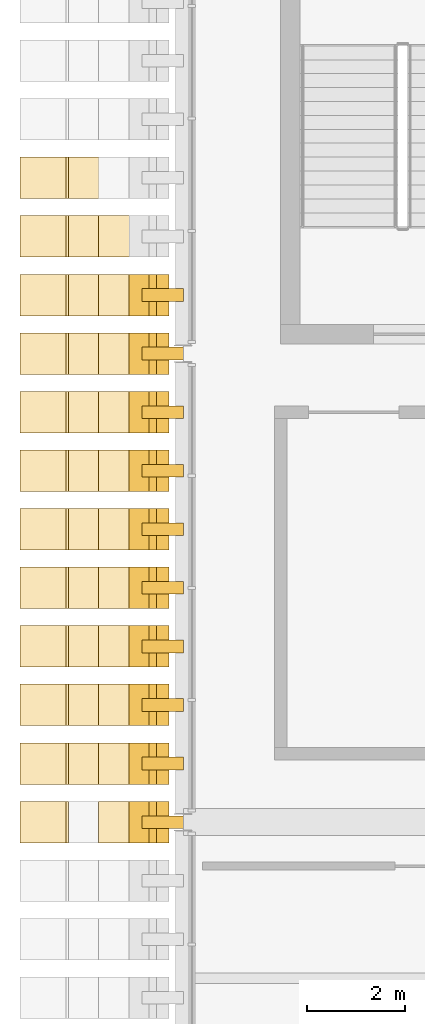
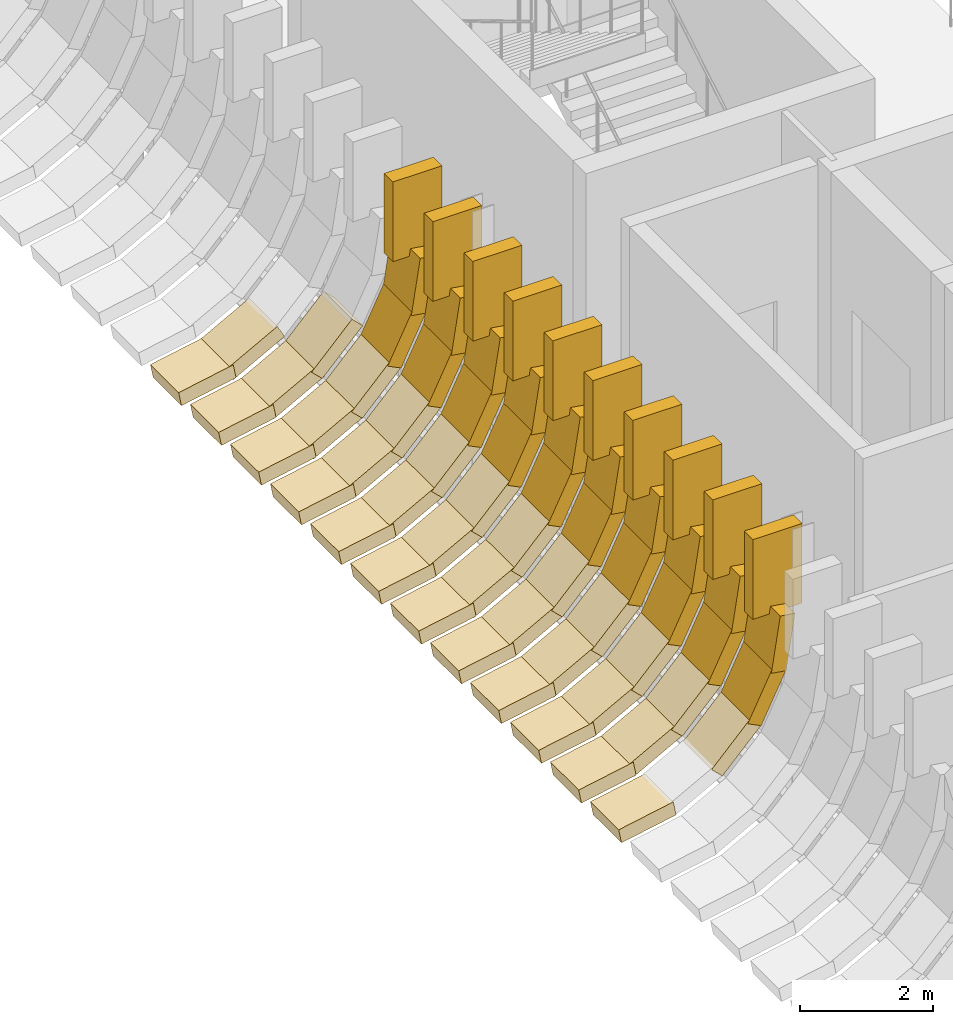
# One storey, part 68 of 100: 64 coverings.
"""IFC4 building model written with IfcOpenShell, lengths in metres."""

from ifc_helpers import new_model, si_unit, direction, frame, origin, origin_2d, place, context, subcontext, project, spatial, rectangle, extrude, material, material_profile, profile_set, type_object, element, save


model = new_model("IFC4")

# Units and contexts
model_context = context("Model", 3, precision=1e-05, world=origin(), true_north=direction((0.0, 1.0)))
body_context = subcontext(model_context, "Body", "Model", "MODEL_VIEW")
ifc_project = project(units=[si_unit("LENGTHUNIT", "METRE"), si_unit("AREAUNIT", "SQUARE_METRE"), si_unit("VOLUMEUNIT", "CUBIC_METRE"), si_unit("PLANEANGLEUNIT", "RADIAN"), si_unit("MASSUNIT", "GRAM", prefix="KILO")], contexts=[model_context])

# Site, building, storey
site_placement = place(None, origin())
site = spatial("IfcSite", under=ifc_project, at=site_placement, CompositionType="ELEMENT")
building_placement = place(site_placement, origin())
building = spatial("IfcBuilding", under=site, at=building_placement, Name="Caelomonte Colonnade Arena", CompositionType="ELEMENT")
storey_placement = place(building_placement, origin())
storey = spatial("IfcBuildingStorey", under=building, at=storey_placement, Name="L00", CompositionType="ELEMENT", Elevation=0.0)

# Coverings
ifc_material = material(Name="Precast travertine cladding", Category="masonry")
ifc_material_profile = material_profile(ifc_material, rectangle(XDim=0.260009765625, YDim=0.85009765625, at=origin_2d()), Name="FIN260X850")
ifc_profile_set = profile_set([ifc_material_profile], Name="Precast travertine cladding")
covering_type = type_object("IfcCoveringType", Name="ENV-FN-SKIRT", PredefinedType="CLADDING", material=ifc_profile_set)
covering_1_placement = place(storey_placement, frame((-1.567626953125, 61.199951171875, 1.061767578125), z_axis=(-0.879676382338, 0.0, -0.475572772935), x_axis=(-0.475572772935, 0.0, 0.879676382338)))
element("IfcCovering", 1, at=covering_1_placement, inside=storey, type_object=covering_type, Name="V5 L00 splayed classical fin skirt chord 4 (21)", PredefinedType="CLADDING", context=body_context, shape_type="SweptSolid", body=[
    extrude(rectangle(XDim=0.260009765625, YDim=0.85009765625, at=origin_2d()), origin(), (0.0, 0.0, 1.0), 1.0078125),
])
covering_2_placement = place(storey_placement, frame((-2.370361328125, 61.199951171875, 0.6123046875), z_axis=(-0.982296384632, 0.0, -0.187333426643), x_axis=(-0.187333426643, 0.0, 0.982296384632)))
element("IfcCovering", 2, at=covering_2_placement, inside=storey, type_object=covering_type, Name="V5 L00 splayed classical fin skirt chord 5 (21)", PredefinedType="CLADDING", context=body_context, shape_type="SweptSolid", body=[
    extrude(rectangle(XDim=0.260009765625, YDim=0.85009765625, at=origin_2d()), origin(), (0.0, 0.0, 1.0), 0.963134765625),
])
covering_3_placement = place(storey_placement, frame((-0.938232421875, 60.0, 1.733154296875), z_axis=(-0.694646381209, 0.0, -0.71935137803), x_axis=(-0.71935137803, 0.0, 0.694646381209)))
element("IfcCovering", 3, at=covering_3_placement, inside=storey, type_object=covering_type, Name="V5 L00 splayed classical fin skirt chord 3 (22)", PredefinedType="CLADDING", context=body_context, shape_type="SweptSolid", body=[
    extrude(rectangle(XDim=0.260009765625, YDim=0.85009765625, at=origin_2d()), origin(), (0.0, 0.0, 1.0), 1.008056640625),
])
covering_4_placement = place(storey_placement, frame((-1.567626953125, 60.0, 1.061767578125), z_axis=(-0.879676382338, 0.0, -0.475572772935), x_axis=(-0.475572772935, 0.0, 0.879676382338)))
element("IfcCovering", 4, at=covering_4_placement, inside=storey, type_object=covering_type, Name="V5 L00 splayed classical fin skirt chord 4 (22)", PredefinedType="CLADDING", context=body_context, shape_type="SweptSolid", body=[
    extrude(rectangle(XDim=0.260009765625, YDim=0.85009765625, at=origin_2d()), origin(), (0.0, 0.0, 1.0), 1.0078125),
])
covering_5_placement = place(storey_placement, frame((-2.370361328125, 60.0, 0.6123046875), z_axis=(-0.982296384632, 0.0, -0.187333426643), x_axis=(-0.187333426643, 0.0, 0.982296384632)))
element("IfcCovering", 5, at=covering_5_placement, inside=storey, type_object=covering_type, Name="V5 L00 splayed classical fin skirt chord 5 (22)", PredefinedType="CLADDING", context=body_context, shape_type="SweptSolid", body=[
    extrude(rectangle(XDim=0.260009765625, YDim=0.85009765625, at=origin_2d()), origin(), (0.0, 0.0, 1.0), 0.963134765625),
])
covering_6_placement = place(storey_placement, frame((-0.4208984375, 58.800048828125, 3.360107421875), z_axis=(0.0, 0.0, 1.0), x_axis=(0.0, 1.0, 0.0)))
element("IfcCovering", 6, at=covering_6_placement, inside=storey, type_object=covering_type, Name="V5 L00 upper classical fin stem 23", PredefinedType="CLADDING", context=body_context, shape_type="SweptSolid", body=[
    extrude(rectangle(XDim=0.260009765625, YDim=0.85009765625, at=origin_2d()), origin(), (0.0, 0.0, 1.0), 1.4599609375),
])
covering_7_placement = place(storey_placement, frame((-0.4140625, 58.800048828125, 3.474609375), z_axis=(-0.153076342973, 0.0, -0.988214366027), x_axis=(-0.988214366027, 0.0, 0.153076342973)))
element("IfcCovering", 7, at=covering_7_placement, inside=storey, type_object=covering_type, Name="V5 L00 splayed classical fin skirt chord 1 (23)", PredefinedType="CLADDING", context=body_context, shape_type="SweptSolid", body=[
    extrude(rectangle(XDim=0.260009765625, YDim=0.85009765625, at=origin_2d()), origin(), (0.0, 0.0, 1.0), 1.008056640625),
])
covering_8_placement = place(storey_placement, frame((-0.54150390625, 58.800048828125, 2.563232421875), z_axis=(-0.44449852268, 0.0, -0.895779584125), x_axis=(-0.895779584125, 0.0, 0.44449852268)))
element("IfcCovering", 8, at=covering_8_placement, inside=storey, type_object=covering_type, Name="V5 L00 splayed classical fin skirt chord 2 (23)", PredefinedType="CLADDING", context=body_context, shape_type="SweptSolid", body=[
    extrude(rectangle(XDim=0.260009765625, YDim=0.85009765625, at=origin_2d()), origin(), (0.0, 0.0, 1.0), 1.0078125),
])
covering_9_placement = place(storey_placement, frame((-0.938232421875, 58.800048828125, 1.733154296875), z_axis=(-0.694646381209, 0.0, -0.71935137803), x_axis=(-0.71935137803, 0.0, 0.694646381209)))
element("IfcCovering", 9, at=covering_9_placement, inside=storey, type_object=covering_type, Name="V5 L00 splayed classical fin skirt chord 3 (23)", PredefinedType="CLADDING", context=body_context, shape_type="SweptSolid", body=[
    extrude(rectangle(XDim=0.260009765625, YDim=0.85009765625, at=origin_2d()), origin(), (0.0, 0.0, 1.0), 1.008056640625),
])
covering_10_placement = place(storey_placement, frame((-1.567626953125, 58.800048828125, 1.061767578125), z_axis=(-0.879676382338, 0.0, -0.475572772935), x_axis=(-0.475572772935, 0.0, 0.879676382338)))
element("IfcCovering", 10, at=covering_10_placement, inside=storey, type_object=covering_type, Name="V5 L00 splayed classical fin skirt chord 4 (23)", PredefinedType="CLADDING", context=body_context, shape_type="SweptSolid", body=[
    extrude(rectangle(XDim=0.260009765625, YDim=0.85009765625, at=origin_2d()), origin(), (0.0, 0.0, 1.0), 1.0078125),
])
covering_11_placement = place(storey_placement, frame((-2.370361328125, 58.800048828125, 0.6123046875), z_axis=(-0.982296384632, 0.0, -0.187333426643), x_axis=(-0.187333426643, 0.0, 0.982296384632)))
element("IfcCovering", 11, at=covering_11_placement, inside=storey, type_object=covering_type, Name="V5 L00 splayed classical fin skirt chord 5 (23)", PredefinedType="CLADDING", context=body_context, shape_type="SweptSolid", body=[
    extrude(rectangle(XDim=0.260009765625, YDim=0.85009765625, at=origin_2d()), origin(), (0.0, 0.0, 1.0), 0.963134765625),
])
covering_12_placement = place(storey_placement, frame((-0.4208984375, 57.60009765625, 3.360107421875), z_axis=(0.0, 0.0, 1.0), x_axis=(0.0, 1.0, 0.0)))
element("IfcCovering", 12, at=covering_12_placement, inside=storey, type_object=covering_type, Name="V5 L00 upper classical fin stem 24", PredefinedType="CLADDING", context=body_context, shape_type="SweptSolid", body=[
    extrude(rectangle(XDim=0.260009765625, YDim=0.85009765625, at=origin_2d()), origin(), (0.0, 0.0, 1.0), 1.4599609375),
])
covering_13_placement = place(storey_placement, frame((-0.4140625, 57.60009765625, 3.474609375), z_axis=(-0.153076342973, 0.0, -0.988214366027), x_axis=(-0.988214366027, 0.0, 0.153076342973)))
element("IfcCovering", 13, at=covering_13_placement, inside=storey, type_object=covering_type, Name="V5 L00 splayed classical fin skirt chord 1 (24)", PredefinedType="CLADDING", context=body_context, shape_type="SweptSolid", body=[
    extrude(rectangle(XDim=0.260009765625, YDim=0.85009765625, at=origin_2d()), origin(), (0.0, 0.0, 1.0), 1.008056640625),
])
covering_14_placement = place(storey_placement, frame((-0.54150390625, 57.60009765625, 2.563232421875), z_axis=(-0.44449852268, 0.0, -0.895779584125), x_axis=(-0.895779584125, 0.0, 0.44449852268)))
element("IfcCovering", 14, at=covering_14_placement, inside=storey, type_object=covering_type, Name="V5 L00 splayed classical fin skirt chord 2 (24)", PredefinedType="CLADDING", context=body_context, shape_type="SweptSolid", body=[
    extrude(rectangle(XDim=0.260009765625, YDim=0.85009765625, at=origin_2d()), origin(), (0.0, 0.0, 1.0), 1.0078125),
])
covering_15_placement = place(storey_placement, frame((-0.938232421875, 57.60009765625, 1.733154296875), z_axis=(-0.694646381209, 0.0, -0.71935137803), x_axis=(-0.71935137803, 0.0, 0.694646381209)))
element("IfcCovering", 15, at=covering_15_placement, inside=storey, type_object=covering_type, Name="V5 L00 splayed classical fin skirt chord 3 (24)", PredefinedType="CLADDING", context=body_context, shape_type="SweptSolid", body=[
    extrude(rectangle(XDim=0.260009765625, YDim=0.85009765625, at=origin_2d()), origin(), (0.0, 0.0, 1.0), 1.008056640625),
])
covering_16_placement = place(storey_placement, frame((-1.567626953125, 57.60009765625, 1.061767578125), z_axis=(-0.879676382338, 0.0, -0.475572772935), x_axis=(-0.475572772935, 0.0, 0.879676382338)))
element("IfcCovering", 16, at=covering_16_placement, inside=storey, type_object=covering_type, Name="V5 L00 splayed classical fin skirt chord 4 (24)", PredefinedType="CLADDING", context=body_context, shape_type="SweptSolid", body=[
    extrude(rectangle(XDim=0.260009765625, YDim=0.85009765625, at=origin_2d()), origin(), (0.0, 0.0, 1.0), 1.0078125),
])
covering_17_placement = place(storey_placement, frame((-2.370361328125, 57.60009765625, 0.6123046875), z_axis=(-0.982296384632, 0.0, -0.187333426643), x_axis=(-0.187333426643, 0.0, 0.982296384632)))
element("IfcCovering", 17, at=covering_17_placement, inside=storey, type_object=covering_type, Name="V5 L00 splayed classical fin skirt chord 5 (24)", PredefinedType="CLADDING", context=body_context, shape_type="SweptSolid", body=[
    extrude(rectangle(XDim=0.260009765625, YDim=0.85009765625, at=origin_2d()), origin(), (0.0, 0.0, 1.0), 0.963134765625),
])
covering_18_placement = place(storey_placement, frame((-0.4208984375, 56.39990234375, 3.360107421875), z_axis=(0.0, 0.0, 1.0), x_axis=(0.0, 1.0, 0.0)))
element("IfcCovering", 18, at=covering_18_placement, inside=storey, type_object=covering_type, Name="V5 L00 upper classical fin stem 25", PredefinedType="CLADDING", context=body_context, shape_type="SweptSolid", body=[
    extrude(rectangle(XDim=0.260009765625, YDim=0.85009765625, at=origin_2d()), origin(), (0.0, 0.0, 1.0), 1.4599609375),
])
covering_19_placement = place(storey_placement, frame((-0.4140625, 56.39990234375, 3.474609375), z_axis=(-0.153076342973, 0.0, -0.988214366027), x_axis=(-0.988214366027, 0.0, 0.153076342973)))
element("IfcCovering", 19, at=covering_19_placement, inside=storey, type_object=covering_type, Name="V5 L00 splayed classical fin skirt chord 1 (25)", PredefinedType="CLADDING", context=body_context, shape_type="SweptSolid", body=[
    extrude(rectangle(XDim=0.260009765625, YDim=0.85009765625, at=origin_2d()), origin(), (0.0, 0.0, 1.0), 1.008056640625),
])
covering_20_placement = place(storey_placement, frame((-0.54150390625, 56.39990234375, 2.563232421875), z_axis=(-0.44449852268, 0.0, -0.895779584125), x_axis=(-0.895779584125, 0.0, 0.44449852268)))
element("IfcCovering", 20, at=covering_20_placement, inside=storey, type_object=covering_type, Name="V5 L00 splayed classical fin skirt chord 2 (25)", PredefinedType="CLADDING", context=body_context, shape_type="SweptSolid", body=[
    extrude(rectangle(XDim=0.260009765625, YDim=0.85009765625, at=origin_2d()), origin(), (0.0, 0.0, 1.0), 1.0078125),
])
covering_21_placement = place(storey_placement, frame((-0.938232421875, 56.39990234375, 1.733154296875), z_axis=(-0.694646381209, 0.0, -0.71935137803), x_axis=(-0.71935137803, 0.0, 0.694646381209)))
element("IfcCovering", 21, at=covering_21_placement, inside=storey, type_object=covering_type, Name="V5 L00 splayed classical fin skirt chord 3 (25)", PredefinedType="CLADDING", context=body_context, shape_type="SweptSolid", body=[
    extrude(rectangle(XDim=0.260009765625, YDim=0.85009765625, at=origin_2d()), origin(), (0.0, 0.0, 1.0), 1.008056640625),
])
covering_22_placement = place(storey_placement, frame((-1.567626953125, 56.39990234375, 1.061767578125), z_axis=(-0.879676382338, 0.0, -0.475572772935), x_axis=(-0.475572772935, 0.0, 0.879676382338)))
element("IfcCovering", 22, at=covering_22_placement, inside=storey, type_object=covering_type, Name="V5 L00 splayed classical fin skirt chord 4 (25)", PredefinedType="CLADDING", context=body_context, shape_type="SweptSolid", body=[
    extrude(rectangle(XDim=0.260009765625, YDim=0.85009765625, at=origin_2d()), origin(), (0.0, 0.0, 1.0), 1.0078125),
])
covering_23_placement = place(storey_placement, frame((-2.370361328125, 56.39990234375, 0.6123046875), z_axis=(-0.982296384632, 0.0, -0.187333426643), x_axis=(-0.187333426643, 0.0, 0.982296384632)))
element("IfcCovering", 23, at=covering_23_placement, inside=storey, type_object=covering_type, Name="V5 L00 splayed classical fin skirt chord 5 (25)", PredefinedType="CLADDING", context=body_context, shape_type="SweptSolid", body=[
    extrude(rectangle(XDim=0.260009765625, YDim=0.85009765625, at=origin_2d()), origin(), (0.0, 0.0, 1.0), 0.963134765625),
])
covering_24_placement = place(storey_placement, frame((-0.4208984375, 55.199951171875, 3.360107421875), z_axis=(0.0, 0.0, 1.0), x_axis=(0.0, 1.0, 0.0)))
element("IfcCovering", 24, at=covering_24_placement, inside=storey, type_object=covering_type, Name="V5 L00 upper classical fin stem 26", PredefinedType="CLADDING", context=body_context, shape_type="SweptSolid", body=[
    extrude(rectangle(XDim=0.260009765625, YDim=0.85009765625, at=origin_2d()), origin(), (0.0, 0.0, 1.0), 1.4599609375),
])
covering_25_placement = place(storey_placement, frame((-0.4140625, 55.199951171875, 3.474609375), z_axis=(-0.153076342973, 0.0, -0.988214366027), x_axis=(-0.988214366027, 0.0, 0.153076342973)))
element("IfcCovering", 25, at=covering_25_placement, inside=storey, type_object=covering_type, Name="V5 L00 splayed classical fin skirt chord 1 (26)", PredefinedType="CLADDING", context=body_context, shape_type="SweptSolid", body=[
    extrude(rectangle(XDim=0.260009765625, YDim=0.85009765625, at=origin_2d()), origin(), (0.0, 0.0, 1.0), 1.008056640625),
])
covering_26_placement = place(storey_placement, frame((-0.54150390625, 55.199951171875, 2.563232421875), z_axis=(-0.44449852268, 0.0, -0.895779584125), x_axis=(-0.895779584125, 0.0, 0.44449852268)))
element("IfcCovering", 26, at=covering_26_placement, inside=storey, type_object=covering_type, Name="V5 L00 splayed classical fin skirt chord 2 (26)", PredefinedType="CLADDING", context=body_context, shape_type="SweptSolid", body=[
    extrude(rectangle(XDim=0.260009765625, YDim=0.85009765625, at=origin_2d()), origin(), (0.0, 0.0, 1.0), 1.0078125),
])
covering_27_placement = place(storey_placement, frame((-0.938232421875, 55.199951171875, 1.733154296875), z_axis=(-0.694646381209, 0.0, -0.71935137803), x_axis=(-0.71935137803, 0.0, 0.694646381209)))
element("IfcCovering", 27, at=covering_27_placement, inside=storey, type_object=covering_type, Name="V5 L00 splayed classical fin skirt chord 3 (26)", PredefinedType="CLADDING", context=body_context, shape_type="SweptSolid", body=[
    extrude(rectangle(XDim=0.260009765625, YDim=0.85009765625, at=origin_2d()), origin(), (0.0, 0.0, 1.0), 1.008056640625),
])
covering_28_placement = place(storey_placement, frame((-1.567626953125, 55.199951171875, 1.061767578125), z_axis=(-0.879676382338, 0.0, -0.475572772935), x_axis=(-0.475572772935, 0.0, 0.879676382338)))
element("IfcCovering", 28, at=covering_28_placement, inside=storey, type_object=covering_type, Name="V5 L00 splayed classical fin skirt chord 4 (26)", PredefinedType="CLADDING", context=body_context, shape_type="SweptSolid", body=[
    extrude(rectangle(XDim=0.260009765625, YDim=0.85009765625, at=origin_2d()), origin(), (0.0, 0.0, 1.0), 1.0078125),
])
covering_29_placement = place(storey_placement, frame((-2.370361328125, 55.199951171875, 0.6123046875), z_axis=(-0.982296384632, 0.0, -0.187333426643), x_axis=(-0.187333426643, 0.0, 0.982296384632)))
element("IfcCovering", 29, at=covering_29_placement, inside=storey, type_object=covering_type, Name="V5 L00 splayed classical fin skirt chord 5 (26)", PredefinedType="CLADDING", context=body_context, shape_type="SweptSolid", body=[
    extrude(rectangle(XDim=0.260009765625, YDim=0.85009765625, at=origin_2d()), origin(), (0.0, 0.0, 1.0), 0.963134765625),
])
covering_30_placement = place(storey_placement, frame((-0.4208984375, 54.0, 3.360107421875), z_axis=(0.0, 0.0, 1.0), x_axis=(0.0, 1.0, 0.0)))
element("IfcCovering", 30, at=covering_30_placement, inside=storey, type_object=covering_type, Name="V5 L00 upper classical fin stem 27", PredefinedType="CLADDING", context=body_context, shape_type="SweptSolid", body=[
    extrude(rectangle(XDim=0.260009765625, YDim=0.85009765625, at=origin_2d()), origin(), (0.0, 0.0, 1.0), 1.4599609375),
])
covering_31_placement = place(storey_placement, frame((-0.4140625, 54.0, 3.474609375), z_axis=(-0.153076342973, 0.0, -0.988214366027), x_axis=(-0.988214366027, 0.0, 0.153076342973)))
element("IfcCovering", 31, at=covering_31_placement, inside=storey, type_object=covering_type, Name="V5 L00 splayed classical fin skirt chord 1 (27)", PredefinedType="CLADDING", context=body_context, shape_type="SweptSolid", body=[
    extrude(rectangle(XDim=0.260009765625, YDim=0.85009765625, at=origin_2d()), origin(), (0.0, 0.0, 1.0), 1.008056640625),
])
covering_32_placement = place(storey_placement, frame((-0.54150390625, 54.0, 2.563232421875), z_axis=(-0.44449852268, 0.0, -0.895779584125), x_axis=(-0.895779584125, 0.0, 0.44449852268)))
element("IfcCovering", 32, at=covering_32_placement, inside=storey, type_object=covering_type, Name="V5 L00 splayed classical fin skirt chord 2 (27)", PredefinedType="CLADDING", context=body_context, shape_type="SweptSolid", body=[
    extrude(rectangle(XDim=0.260009765625, YDim=0.85009765625, at=origin_2d()), origin(), (0.0, 0.0, 1.0), 1.0078125),
])
covering_33_placement = place(storey_placement, frame((-0.938232421875, 54.0, 1.733154296875), z_axis=(-0.694646381209, 0.0, -0.71935137803), x_axis=(-0.71935137803, 0.0, 0.694646381209)))
element("IfcCovering", 33, at=covering_33_placement, inside=storey, type_object=covering_type, Name="V5 L00 splayed classical fin skirt chord 3 (27)", PredefinedType="CLADDING", context=body_context, shape_type="SweptSolid", body=[
    extrude(rectangle(XDim=0.260009765625, YDim=0.85009765625, at=origin_2d()), origin(), (0.0, 0.0, 1.0), 1.008056640625),
])
covering_34_placement = place(storey_placement, frame((-1.567626953125, 54.0, 1.061767578125), z_axis=(-0.879676382338, 0.0, -0.475572772935), x_axis=(-0.475572772935, 0.0, 0.879676382338)))
element("IfcCovering", 34, at=covering_34_placement, inside=storey, type_object=covering_type, Name="V5 L00 splayed classical fin skirt chord 4 (27)", PredefinedType="CLADDING", context=body_context, shape_type="SweptSolid", body=[
    extrude(rectangle(XDim=0.260009765625, YDim=0.85009765625, at=origin_2d()), origin(), (0.0, 0.0, 1.0), 1.0078125),
])
covering_35_placement = place(storey_placement, frame((-2.370361328125, 54.0, 0.6123046875), z_axis=(-0.982296384632, 0.0, -0.187333426643), x_axis=(-0.187333426643, 0.0, 0.982296384632)))
element("IfcCovering", 35, at=covering_35_placement, inside=storey, type_object=covering_type, Name="V5 L00 splayed classical fin skirt chord 5 (27)", PredefinedType="CLADDING", context=body_context, shape_type="SweptSolid", body=[
    extrude(rectangle(XDim=0.260009765625, YDim=0.85009765625, at=origin_2d()), origin(), (0.0, 0.0, 1.0), 0.963134765625),
])
covering_36_placement = place(storey_placement, frame((-0.4208984375, 52.800048828125, 3.360107421875), z_axis=(0.0, 0.0, 1.0), x_axis=(0.0, 1.0, 0.0)))
element("IfcCovering", 36, at=covering_36_placement, inside=storey, type_object=covering_type, Name="V5 L00 upper classical fin stem 28", PredefinedType="CLADDING", context=body_context, shape_type="SweptSolid", body=[
    extrude(rectangle(XDim=0.260009765625, YDim=0.85009765625, at=origin_2d()), origin(), (0.0, 0.0, 1.0), 1.4599609375),
])
covering_37_placement = place(storey_placement, frame((-0.4140625, 52.800048828125, 3.474609375), z_axis=(-0.153076342973, 0.0, -0.988214366027), x_axis=(-0.988214366027, 0.0, 0.153076342973)))
element("IfcCovering", 37, at=covering_37_placement, inside=storey, type_object=covering_type, Name="V5 L00 splayed classical fin skirt chord 1 (28)", PredefinedType="CLADDING", context=body_context, shape_type="SweptSolid", body=[
    extrude(rectangle(XDim=0.260009765625, YDim=0.85009765625, at=origin_2d()), origin(), (0.0, 0.0, 1.0), 1.008056640625),
])
covering_38_placement = place(storey_placement, frame((-0.54150390625, 52.800048828125, 2.563232421875), z_axis=(-0.44449852268, 0.0, -0.895779584125), x_axis=(-0.895779584125, 0.0, 0.44449852268)))
element("IfcCovering", 38, at=covering_38_placement, inside=storey, type_object=covering_type, Name="V5 L00 splayed classical fin skirt chord 2 (28)", PredefinedType="CLADDING", context=body_context, shape_type="SweptSolid", body=[
    extrude(rectangle(XDim=0.260009765625, YDim=0.85009765625, at=origin_2d()), origin(), (0.0, 0.0, 1.0), 1.0078125),
])
covering_39_placement = place(storey_placement, frame((-0.938232421875, 52.800048828125, 1.733154296875), z_axis=(-0.694646381209, 0.0, -0.71935137803), x_axis=(-0.71935137803, 0.0, 0.694646381209)))
element("IfcCovering", 39, at=covering_39_placement, inside=storey, type_object=covering_type, Name="V5 L00 splayed classical fin skirt chord 3 (28)", PredefinedType="CLADDING", context=body_context, shape_type="SweptSolid", body=[
    extrude(rectangle(XDim=0.260009765625, YDim=0.85009765625, at=origin_2d()), origin(), (0.0, 0.0, 1.0), 1.008056640625),
])
covering_40_placement = place(storey_placement, frame((-1.567626953125, 52.800048828125, 1.061767578125), z_axis=(-0.879676382338, 0.0, -0.475572772935), x_axis=(-0.475572772935, 0.0, 0.879676382338)))
element("IfcCovering", 40, at=covering_40_placement, inside=storey, type_object=covering_type, Name="V5 L00 splayed classical fin skirt chord 4 (28)", PredefinedType="CLADDING", context=body_context, shape_type="SweptSolid", body=[
    extrude(rectangle(XDim=0.260009765625, YDim=0.85009765625, at=origin_2d()), origin(), (0.0, 0.0, 1.0), 1.0078125),
])
covering_41_placement = place(storey_placement, frame((-2.370361328125, 52.800048828125, 0.6123046875), z_axis=(-0.982296384632, 0.0, -0.187333426643), x_axis=(-0.187333426643, 0.0, 0.982296384632)))
element("IfcCovering", 41, at=covering_41_placement, inside=storey, type_object=covering_type, Name="V5 L00 splayed classical fin skirt chord 5 (28)", PredefinedType="CLADDING", context=body_context, shape_type="SweptSolid", body=[
    extrude(rectangle(XDim=0.260009765625, YDim=0.85009765625, at=origin_2d()), origin(), (0.0, 0.0, 1.0), 0.963134765625),
])
covering_42_placement = place(storey_placement, frame((-0.4208984375, 51.60009765625, 3.360107421875), z_axis=(0.0, 0.0, 1.0), x_axis=(0.0, 1.0, 0.0)))
element("IfcCovering", 42, at=covering_42_placement, inside=storey, type_object=covering_type, Name="V5 L00 upper classical fin stem 29", PredefinedType="CLADDING", context=body_context, shape_type="SweptSolid", body=[
    extrude(rectangle(XDim=0.260009765625, YDim=0.85009765625, at=origin_2d()), origin(), (0.0, 0.0, 1.0), 1.4599609375),
])
covering_43_placement = place(storey_placement, frame((-0.4140625, 51.60009765625, 3.474609375), z_axis=(-0.153076342973, 0.0, -0.988214366027), x_axis=(-0.988214366027, 0.0, 0.153076342973)))
element("IfcCovering", 43, at=covering_43_placement, inside=storey, type_object=covering_type, Name="V5 L00 splayed classical fin skirt chord 1 (29)", PredefinedType="CLADDING", context=body_context, shape_type="SweptSolid", body=[
    extrude(rectangle(XDim=0.260009765625, YDim=0.85009765625, at=origin_2d()), origin(), (0.0, 0.0, 1.0), 1.008056640625),
])
covering_44_placement = place(storey_placement, frame((-0.54150390625, 51.60009765625, 2.563232421875), z_axis=(-0.44449852268, 0.0, -0.895779584125), x_axis=(-0.895779584125, 0.0, 0.44449852268)))
element("IfcCovering", 44, at=covering_44_placement, inside=storey, type_object=covering_type, Name="V5 L00 splayed classical fin skirt chord 2 (29)", PredefinedType="CLADDING", context=body_context, shape_type="SweptSolid", body=[
    extrude(rectangle(XDim=0.260009765625, YDim=0.85009765625, at=origin_2d()), origin(), (0.0, 0.0, 1.0), 1.0078125),
])
covering_45_placement = place(storey_placement, frame((-0.938232421875, 51.60009765625, 1.733154296875), z_axis=(-0.694646381209, 0.0, -0.71935137803), x_axis=(-0.71935137803, 0.0, 0.694646381209)))
element("IfcCovering", 45, at=covering_45_placement, inside=storey, type_object=covering_type, Name="V5 L00 splayed classical fin skirt chord 3 (29)", PredefinedType="CLADDING", context=body_context, shape_type="SweptSolid", body=[
    extrude(rectangle(XDim=0.260009765625, YDim=0.85009765625, at=origin_2d()), origin(), (0.0, 0.0, 1.0), 1.008056640625),
])
covering_46_placement = place(storey_placement, frame((-1.567626953125, 51.60009765625, 1.061767578125), z_axis=(-0.879676382338, 0.0, -0.475572772935), x_axis=(-0.475572772935, 0.0, 0.879676382338)))
element("IfcCovering", 46, at=covering_46_placement, inside=storey, type_object=covering_type, Name="V5 L00 splayed classical fin skirt chord 4 (29)", PredefinedType="CLADDING", context=body_context, shape_type="SweptSolid", body=[
    extrude(rectangle(XDim=0.260009765625, YDim=0.85009765625, at=origin_2d()), origin(), (0.0, 0.0, 1.0), 1.0078125),
])
covering_47_placement = place(storey_placement, frame((-2.370361328125, 51.60009765625, 0.6123046875), z_axis=(-0.982296384632, 0.0, -0.187333426643), x_axis=(-0.187333426643, 0.0, 0.982296384632)))
element("IfcCovering", 47, at=covering_47_placement, inside=storey, type_object=covering_type, Name="V5 L00 splayed classical fin skirt chord 5 (29)", PredefinedType="CLADDING", context=body_context, shape_type="SweptSolid", body=[
    extrude(rectangle(XDim=0.260009765625, YDim=0.85009765625, at=origin_2d()), origin(), (0.0, 0.0, 1.0), 0.963134765625),
])
covering_48_placement = place(storey_placement, frame((-0.4208984375, 50.39990234375, 3.360107421875), z_axis=(0.0, 0.0, 1.0), x_axis=(0.0, 1.0, 0.0)))
element("IfcCovering", 48, at=covering_48_placement, inside=storey, type_object=covering_type, Name="V5 L00 upper classical fin stem 30", PredefinedType="CLADDING", context=body_context, shape_type="SweptSolid", body=[
    extrude(rectangle(XDim=0.260009765625, YDim=0.85009765625, at=origin_2d()), origin(), (0.0, 0.0, 1.0), 1.4599609375),
])
covering_49_placement = place(storey_placement, frame((-0.4140625, 50.39990234375, 3.474609375), z_axis=(-0.153076342973, 0.0, -0.988214366027), x_axis=(-0.988214366027, 0.0, 0.153076342973)))
element("IfcCovering", 49, at=covering_49_placement, inside=storey, type_object=covering_type, Name="V5 L00 splayed classical fin skirt chord 1 (30)", PredefinedType="CLADDING", context=body_context, shape_type="SweptSolid", body=[
    extrude(rectangle(XDim=0.260009765625, YDim=0.85009765625, at=origin_2d()), origin(), (0.0, 0.0, 1.0), 1.008056640625),
])
covering_50_placement = place(storey_placement, frame((-0.54150390625, 50.39990234375, 2.563232421875), z_axis=(-0.44449852268, 0.0, -0.895779584125), x_axis=(-0.895779584125, 0.0, 0.44449852268)))
element("IfcCovering", 50, at=covering_50_placement, inside=storey, type_object=covering_type, Name="V5 L00 splayed classical fin skirt chord 2 (30)", PredefinedType="CLADDING", context=body_context, shape_type="SweptSolid", body=[
    extrude(rectangle(XDim=0.260009765625, YDim=0.85009765625, at=origin_2d()), origin(), (0.0, 0.0, 1.0), 1.0078125),
])
covering_51_placement = place(storey_placement, frame((-0.938232421875, 50.39990234375, 1.733154296875), z_axis=(-0.694646381209, 0.0, -0.71935137803), x_axis=(-0.71935137803, 0.0, 0.694646381209)))
element("IfcCovering", 51, at=covering_51_placement, inside=storey, type_object=covering_type, Name="V5 L00 splayed classical fin skirt chord 3 (30)", PredefinedType="CLADDING", context=body_context, shape_type="SweptSolid", body=[
    extrude(rectangle(XDim=0.260009765625, YDim=0.85009765625, at=origin_2d()), origin(), (0.0, 0.0, 1.0), 1.008056640625),
])
covering_52_placement = place(storey_placement, frame((-1.567626953125, 50.39990234375, 1.061767578125), z_axis=(-0.879676382338, 0.0, -0.475572772935), x_axis=(-0.475572772935, 0.0, 0.879676382338)))
element("IfcCovering", 52, at=covering_52_placement, inside=storey, type_object=covering_type, Name="V5 L00 splayed classical fin skirt chord 4 (30)", PredefinedType="CLADDING", context=body_context, shape_type="SweptSolid", body=[
    extrude(rectangle(XDim=0.260009765625, YDim=0.85009765625, at=origin_2d()), origin(), (0.0, 0.0, 1.0), 1.0078125),
])
covering_53_placement = place(storey_placement, frame((-2.370361328125, 50.39990234375, 0.6123046875), z_axis=(-0.982296384632, 0.0, -0.187333426643), x_axis=(-0.187333426643, 0.0, 0.982296384632)))
element("IfcCovering", 53, at=covering_53_placement, inside=storey, type_object=covering_type, Name="V5 L00 splayed classical fin skirt chord 5 (30)", PredefinedType="CLADDING", context=body_context, shape_type="SweptSolid", body=[
    extrude(rectangle(XDim=0.260009765625, YDim=0.85009765625, at=origin_2d()), origin(), (0.0, 0.0, 1.0), 0.963134765625),
])
covering_54_placement = place(storey_placement, frame((-0.4208984375, 49.199951171875, 3.360107421875), z_axis=(0.0, 0.0, 1.0), x_axis=(0.0, 1.0, 0.0)))
element("IfcCovering", 54, at=covering_54_placement, inside=storey, type_object=covering_type, Name="V5 L00 upper classical fin stem 31", PredefinedType="CLADDING", context=body_context, shape_type="SweptSolid", body=[
    extrude(rectangle(XDim=0.260009765625, YDim=0.85009765625, at=origin_2d()), origin(), (0.0, 0.0, 1.0), 1.4599609375),
])
covering_55_placement = place(storey_placement, frame((-0.4140625, 49.199951171875, 3.474609375), z_axis=(-0.153076342973, 0.0, -0.988214366027), x_axis=(-0.988214366027, 0.0, 0.153076342973)))
element("IfcCovering", 55, at=covering_55_placement, inside=storey, type_object=covering_type, Name="V5 L00 splayed classical fin skirt chord 1 (31)", PredefinedType="CLADDING", context=body_context, shape_type="SweptSolid", body=[
    extrude(rectangle(XDim=0.260009765625, YDim=0.85009765625, at=origin_2d()), origin(), (0.0, 0.0, 1.0), 1.008056640625),
])
covering_56_placement = place(storey_placement, frame((-0.54150390625, 49.199951171875, 2.563232421875), z_axis=(-0.44449852268, 0.0, -0.895779584125), x_axis=(-0.895779584125, 0.0, 0.44449852268)))
element("IfcCovering", 56, at=covering_56_placement, inside=storey, type_object=covering_type, Name="V5 L00 splayed classical fin skirt chord 2 (31)", PredefinedType="CLADDING", context=body_context, shape_type="SweptSolid", body=[
    extrude(rectangle(XDim=0.260009765625, YDim=0.85009765625, at=origin_2d()), origin(), (0.0, 0.0, 1.0), 1.0078125),
])
covering_57_placement = place(storey_placement, frame((-0.938232421875, 49.199951171875, 1.733154296875), z_axis=(-0.694646381209, 0.0, -0.71935137803), x_axis=(-0.71935137803, 0.0, 0.694646381209)))
element("IfcCovering", 57, at=covering_57_placement, inside=storey, type_object=covering_type, Name="V5 L00 splayed classical fin skirt chord 3 (31)", PredefinedType="CLADDING", context=body_context, shape_type="SweptSolid", body=[
    extrude(rectangle(XDim=0.260009765625, YDim=0.85009765625, at=origin_2d()), origin(), (0.0, 0.0, 1.0), 1.008056640625),
])
covering_58_placement = place(storey_placement, frame((-1.567626953125, 49.199951171875, 1.061767578125), z_axis=(-0.879676382338, 0.0, -0.475572772935), x_axis=(-0.475572772935, 0.0, 0.879676382338)))
element("IfcCovering", 58, at=covering_58_placement, inside=storey, type_object=covering_type, Name="V5 L00 splayed classical fin skirt chord 4 (31)", PredefinedType="CLADDING", context=body_context, shape_type="SweptSolid", body=[
    extrude(rectangle(XDim=0.260009765625, YDim=0.85009765625, at=origin_2d()), origin(), (0.0, 0.0, 1.0), 1.0078125),
])
covering_59_placement = place(storey_placement, frame((-2.370361328125, 49.199951171875, 0.6123046875), z_axis=(-0.982296384632, 0.0, -0.187333426643), x_axis=(-0.187333426643, 0.0, 0.982296384632)))
element("IfcCovering", 59, at=covering_59_placement, inside=storey, type_object=covering_type, Name="V5 L00 splayed classical fin skirt chord 5 (31)", PredefinedType="CLADDING", context=body_context, shape_type="SweptSolid", body=[
    extrude(rectangle(XDim=0.260009765625, YDim=0.85009765625, at=origin_2d()), origin(), (0.0, 0.0, 1.0), 0.963134765625),
])
covering_60_placement = place(storey_placement, frame((-0.4208984375, 48.0, 3.360107421875), z_axis=(0.0, 0.0, 1.0), x_axis=(0.0, 1.0, 0.0)))
element("IfcCovering", 60, at=covering_60_placement, inside=storey, type_object=covering_type, Name="V5 L00 upper classical fin stem 32", PredefinedType="CLADDING", context=body_context, shape_type="SweptSolid", body=[
    extrude(rectangle(XDim=0.260009765625, YDim=0.85009765625, at=origin_2d()), origin(), (0.0, 0.0, 1.0), 1.4599609375),
])
covering_61_placement = place(storey_placement, frame((-0.4140625, 48.0, 3.474609375), z_axis=(-0.153076342973, 0.0, -0.988214366027), x_axis=(-0.988214366027, 0.0, 0.153076342973)))
element("IfcCovering", 61, at=covering_61_placement, inside=storey, type_object=covering_type, Name="V5 L00 splayed classical fin skirt chord 1 (32)", PredefinedType="CLADDING", context=body_context, shape_type="SweptSolid", body=[
    extrude(rectangle(XDim=0.260009765625, YDim=0.85009765625, at=origin_2d()), origin(), (0.0, 0.0, 1.0), 1.008056640625),
])
covering_62_placement = place(storey_placement, frame((-0.54150390625, 48.0, 2.563232421875), z_axis=(-0.44449852268, 0.0, -0.895779584125), x_axis=(-0.895779584125, 0.0, 0.44449852268)))
element("IfcCovering", 62, at=covering_62_placement, inside=storey, type_object=covering_type, Name="V5 L00 splayed classical fin skirt chord 2 (32)", PredefinedType="CLADDING", context=body_context, shape_type="SweptSolid", body=[
    extrude(rectangle(XDim=0.260009765625, YDim=0.85009765625, at=origin_2d()), origin(), (0.0, 0.0, 1.0), 1.0078125),
])
covering_63_placement = place(storey_placement, frame((-0.938232421875, 48.0, 1.733154296875), z_axis=(-0.694646381209, 0.0, -0.71935137803), x_axis=(-0.71935137803, 0.0, 0.694646381209)))
element("IfcCovering", 63, at=covering_63_placement, inside=storey, type_object=covering_type, Name="V5 L00 splayed classical fin skirt chord 3 (32)", PredefinedType="CLADDING", context=body_context, shape_type="SweptSolid", body=[
    extrude(rectangle(XDim=0.260009765625, YDim=0.85009765625, at=origin_2d()), origin(), (0.0, 0.0, 1.0), 1.008056640625),
])
covering_64_placement = place(storey_placement, frame((-2.370361328125, 48.0, 0.6123046875), z_axis=(-0.982296384632, 0.0, -0.187333426643), x_axis=(-0.187333426643, 0.0, 0.982296384632)))
element("IfcCovering", 64, at=covering_64_placement, inside=storey, type_object=covering_type, Name="V5 L00 splayed classical fin skirt chord 5 (32)", PredefinedType="CLADDING", context=body_context, shape_type="SweptSolid", body=[
    extrude(rectangle(XDim=0.260009765625, YDim=0.85009765625, at=origin_2d()), origin(), (0.0, 0.0, 1.0), 0.963134765625),
])

save(model, "model.ifc")
